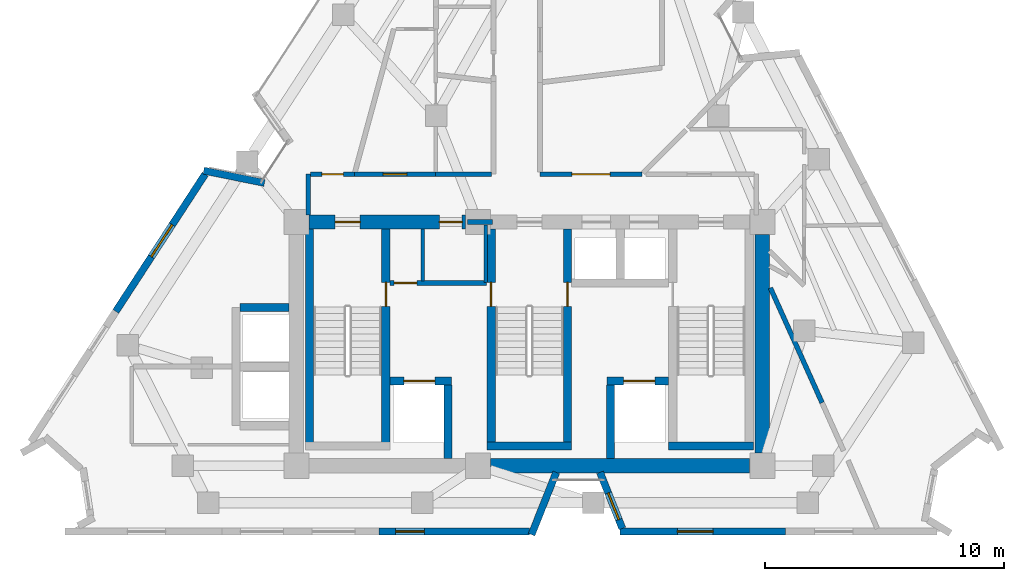
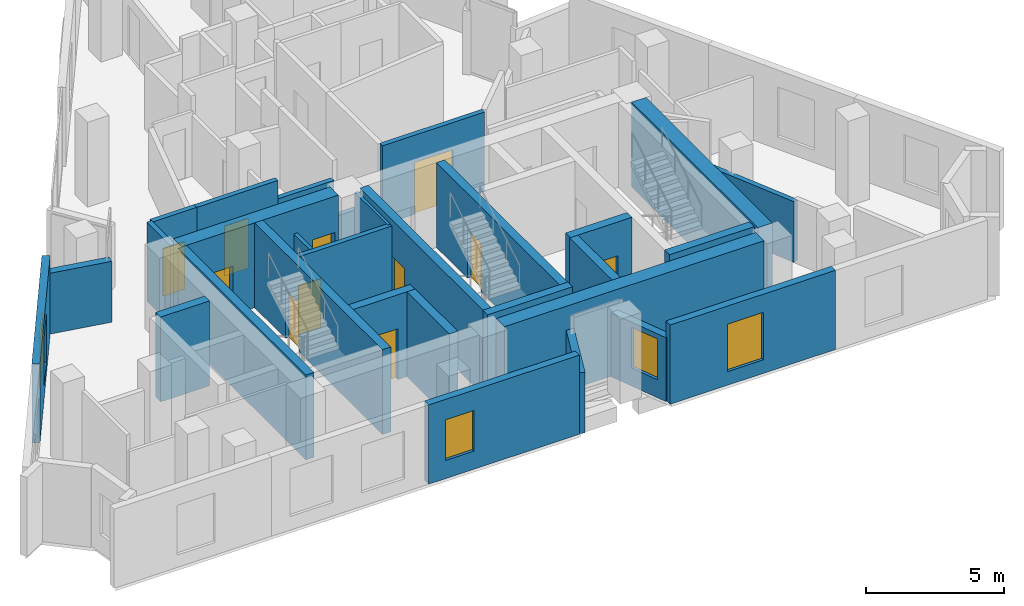
# One storey, part 5 of 9: 30 walls, 11 doors, 4 windows, 15 openings.
"""IFC4 building model written with IfcOpenShell, lengths in metres."""

import ifcopenshell
import ifcopenshell.guid

model = None  # the IFC model being written
_history = None  # IfcOwnerHistory: only IFC2X3 demands one
_inside = {}  # id of a spatial element -> (the spatial element, [elements in it])
_under = {}  # id of a project, library or spatial element -> (it, [spatial elements below it])
_declared = {}  # id of a project -> (the project, [libraries it declares])
_typed = {}  # id of a type object -> (the type object, [elements of that type])
_made_of = {}  # id of a material, layer set ... -> (it, [elements and type objects made of it])


def new_model(schema):
    """Start an empty IFC model of exactly this schema.

    Asked for "IFC4X3", IfcOpenShell would pick the latest addendum, in which some entities
    have other attributes; the version numbers below select the first issue.
    IFC2X3 requires an IfcOwnerHistory on every rooted entity: one is made here for all.
    """
    global model, _history
    if schema == "IFC4X3":
        model = ifcopenshell.file(schema_version=(4, 3, 0, 0))
    else:
        model = ifcopenshell.file(schema=schema)
    _inside.clear()
    _under.clear()
    _declared.clear()
    _typed.clear()
    _made_of.clear()
    _history = None
    if model.schema == "IFC2X3":
        org = make("IfcOrganization", Name="unknown")
        user = make(
            "IfcPersonAndOrganization",
            ThePerson=make("IfcPerson", FamilyName="unknown"),
            TheOrganization=org,
        )
        app = make(
            "IfcApplication",
            ApplicationDeveloper=org,
            Version="unknown",
            ApplicationFullName="unknown",
            ApplicationIdentifier="unknown",
        )
        _history = make(
            "IfcOwnerHistory",
            OwningUser=user,
            OwningApplication=app,
            ChangeAction="ADDED",
            CreationDate=0,
        )
    return model


def make(cls, **values):
    """One entity of the class cls with the attributes given. An attribute that is None is left unset."""
    return model.create_entity(
        cls, **{name: value for name, value in values.items() if value is not None}
    )


def rooted(cls, **values):
    """An entity with a GlobalId (a new one), such as an element, a storey or a relation."""
    return make(cls, GlobalId=ifcopenshell.guid.new(), OwnerHistory=_history, **values)


def si_unit(unit_type, name, prefix=None):
    """IfcSIUnit, for example si_unit("LENGTHUNIT", "METRE", prefix="MILLI")."""
    return make("IfcSIUnit", UnitType=unit_type, Prefix=prefix, Name=name)


def assignment(units):
    """IfcUnitAssignment: the units of a project."""
    return None if units is None else make("IfcUnitAssignment", Units=units)


def point(xyz):
    """IfcCartesianPoint."""
    return None if xyz is None else make("IfcCartesianPoint", Coordinates=xyz)


def direction(xyz):
    """IfcDirection."""
    return None if xyz is None else make("IfcDirection", DirectionRatios=xyz)


def frame(location, z_axis=None, x_axis=None):
    """IfcAxis2Placement3D, a coordinate frame: its origin and axes. An axis left out is left unset."""
    return make(
        "IfcAxis2Placement3D",
        Location=point(location),
        Axis=direction(z_axis),
        RefDirection=direction(x_axis),
    )


def frame_2d(location, x_axis=None):
    """IfcAxis2Placement2D, a coordinate frame in the plane: its origin and x axis."""
    return make(
        "IfcAxis2Placement2D", Location=point(location), RefDirection=direction(x_axis)
    )


def origin():
    """The frame at (0, 0, 0) with its axes left unset."""
    return frame((0.0, 0.0, 0.0))


def place(relative_to, where):
    """IfcLocalPlacement: puts the frame where relative to a parent placement (None: the world)."""
    return make(
        "IfcLocalPlacement", PlacementRelTo=relative_to, RelativePlacement=where
    )


def context(
    kind, dimensions, precision=None, world=None, true_north=None, identifier=None
):
    """IfcGeometricRepresentationContext, for example the 3D "Model" context."""
    return make(
        "IfcGeometricRepresentationContext",
        ContextIdentifier=identifier,
        ContextType=kind,
        CoordinateSpaceDimension=dimensions,
        Precision=precision,
        WorldCoordinateSystem=world,
        TrueNorth=true_north,
    )


def subcontext(parent, identifier, kind, view, scale=None):
    """IfcGeometricRepresentationSubContext, for example "Body" below "Model"."""
    return make(
        "IfcGeometricRepresentationSubContext",
        ContextIdentifier=identifier,
        ContextType=kind,
        ParentContext=parent,
        TargetScale=scale,
        TargetView=view,
    )


def project(units=None, contexts=None):
    """IfcProject with its units and contexts."""
    return rooted(
        "IfcProject",
        Name="project",
        RepresentationContexts=contexts,
        UnitsInContext=assignment(units),
    )


def spatial(cls, under=None, at=None, **own):
    """A site, building, storey or space (cls), placed at a placement, below another one or the project."""
    s = rooted(cls, ObjectPlacement=at, **own)
    if under is not None:
        _under.setdefault(under.id(), (under, []))[1].append(s)
    return s


def profile(cls, at=None, kind="AREA", **sizes):
    """A parametric profile (cls). Its sizes go by their IFC names, for example OverallWidth=200.0."""
    return make(cls, ProfileType=kind, Position=at, **sizes)


def rectangle(**sizes):
    """IfcRectangleProfileDef."""
    return profile("IfcRectangleProfileDef", **sizes)


def extrude(swept, where, along, depth):
    """IfcExtrudedAreaSolid: the profile swept, set in the frame where, extruded along a direction by depth."""
    return make(
        "IfcExtrudedAreaSolid",
        SweptArea=swept,
        Position=where,
        ExtrudedDirection=direction(along),
        Depth=depth,
    )


def shape(context_of_items, identifier, shape_type, items):
    """IfcShapeRepresentation: the items that make up one representation, for example the "Body"."""
    return make(
        "IfcShapeRepresentation",
        ContextOfItems=context_of_items,
        RepresentationIdentifier=identifier,
        RepresentationType=shape_type,
        Items=items,
    )


def material(Name=None, Category=None):
    """IfcMaterial."""
    return make("IfcMaterial", Name=Name, Category=Category)


def layer(
    of_material, thickness, ventilated=None, Name=None, Category=None, Priority=None
):
    """IfcMaterialLayer: one layer of a wall or slab, of a material (None: an air gap)."""
    return make(
        "IfcMaterialLayer",
        Material=of_material,
        LayerThickness=thickness,
        IsVentilated=ventilated,
        Name=Name,
        Category=Category,
        Priority=Priority,
    )


def layer_set(layers, Name=None):
    """IfcMaterialLayerSet."""
    return make("IfcMaterialLayerSet", MaterialLayers=layers, LayerSetName=Name)


def made_of(thing, what):
    """Note that an element or type object is made of a material, layer set ...; save() writes the relation."""
    if what is not None:
        _made_of.setdefault(what.id(), (what, []))[1].append(thing)
    return thing


def type_object(cls, material=None, **own):
    """A type object (cls), such as IfcWallType, which elements share."""
    return made_of(rooted(cls, **own), material)


def element(
    cls,
    number,
    at=None,
    inside=None,
    cuts=None,
    type_object=None,
    material=None,
    context=None,
    identifier="Body",
    shape_type=None,
    held_by="IfcProductDefinitionShape",
    body=None,
    shapes=None,
    **own,
):
    """One element of the class cls, such as IfcWall. Its Tag is "e" and its number.

    at: its placement. inside: the storey or other place that contains it. cuts: it is an
    opening in that element (IfcRelVoidsElement). A single representation is given by context,
    identifier, shape_type and body (its items); several are given by shapes. held_by: the class
    of the entity that holds the representations. save() writes the other relations.
    """
    e = rooted(cls, Tag="e%d" % number, ObjectPlacement=at, **own)
    if body is not None:
        shapes = [shape(context, identifier, shape_type, body)]
    if shapes is not None:
        e.Representation = make(held_by, Representations=shapes)
    if inside is not None:
        _inside.setdefault(inside.id(), (inside, []))[1].append(e)
    if cuts is not None:
        rooted(
            "IfcRelVoidsElement", RelatingBuildingElement=cuts, RelatedOpeningElement=e
        )
    if type_object is not None:
        _typed.setdefault(type_object.id(), (type_object, []))[1].append(e)
    return made_of(e, material)


def fill(opening, filler):
    """IfcRelFillsElement: the door or window that sits in an opening."""
    return rooted(
        "IfcRelFillsElement",
        RelatingOpeningElement=opening,
        RelatedBuildingElement=filler,
    )


def aggregate(whole, parts):
    """IfcRelAggregates: a whole, such as a stair, and the parts it consists of."""
    return rooted("IfcRelAggregates", RelatingObject=whole, RelatedObjects=parts)


def save(model, path):
    """Write the relations noted so far, then the file.

    IfcRelAggregates (storeys below a building ...), IfcRelContainedInSpatialStructure (elements
    in a storey), IfcRelDefinesByType, IfcRelAssociatesMaterial and IfcRelDeclares: one each for
    every whole, place, type object, material and project.
    """
    for whole, parts in _under.values():
        aggregate(whole, parts)
    for where, things in _inside.values():
        rooted(
            "IfcRelContainedInSpatialStructure",
            RelatedElements=things,
            RelatingStructure=where,
        )
    for kind, things in _typed.values():
        rooted("IfcRelDefinesByType", RelatedObjects=things, RelatingType=kind)
    for what, things in _made_of.values():
        rooted("IfcRelAssociatesMaterial", RelatedObjects=things, RelatingMaterial=what)
    for by, libraries in _declared.values():
        rooted("IfcRelDeclares", RelatingContext=by, RelatedDefinitions=libraries)
    model.write(path)


model = new_model("IFC4")

# Units and contexts
model_context = context("Model", 3, precision=1e-05, world=origin(), true_north=direction((0.0, 1.0)))
body_context = subcontext(model_context, "Body", "Model", "MODEL_VIEW")
ifc_project = project(units=[si_unit("LENGTHUNIT", "METRE"), si_unit("AREAUNIT", "SQUARE_METRE"), si_unit("VOLUMEUNIT", "CUBIC_METRE"), si_unit("PLANEANGLEUNIT", "RADIAN"), si_unit("MASSUNIT", "GRAM", prefix="KILO")], contexts=[model_context])

# Site, building, storey
site_placement = place(None, origin())
site = spatial("IfcSite", under=ifc_project, at=site_placement, CompositionType="ELEMENT")
building_placement = place(site_placement, origin())
building = spatial("IfcBuilding", under=site, at=building_placement, Name="Almagre Mirador Tower", CompositionType="ELEMENT")
storey_placement = place(building_placement, frame((0.0, 0.0, 214.5)))
storey = spatial("IfcBuildingStorey", under=building, at=storey_placement, Name="L55", CompositionType="ELEMENT", Elevation=214.5)

# Wall
ifc_material_1 = material(Name="Precast concrete C50/60", Category="concrete")
ifc_layer_1 = layer(ifc_material_1, 0.300048828125)
ifc_layer_set_1 = layer_set([ifc_layer_1], Name="Precast concrete C50/60")
wall_type_1 = type_object("IfcWallType", Name="WAL-EXT-300", PredefinedType="SOLIDWALL", material=ifc_layer_set_1)
wall_1_placement = place(storey_placement, frame((23.67578125, 16.899658203125, 0.0), z_axis=(0.0, 0.0, 1.0), x_axis=(0.980377387813, -0.197129849249, 0.0)))
element("IfcWall", 1, at=wall_1_placement, inside=storey, type_object=wall_type_1, Name="L55 expressed almagre precast frame wall 01", PredefinedType="SOLIDWALL", context=body_context, shape_type="SweptSolid", body=[
    extrude(rectangle(XDim=2.59326171875, YDim=0.300048828125, at=frame_2d((1.296630859375, 0.0))), origin(), (0.0, 0.0, 1.0), 2.68994140625),
])

# Wall, opening, window
wall_2_placement = place(storey_placement, frame((48.02197265625, 1.800048828125, 0.0), z_axis=(0.0, 0.0, 1.0), x_axis=(-1.0, 0.0, 0.0)))
wall_2 = element("IfcWall", 2, at=wall_2_placement, inside=storey, type_object=wall_type_1, Name="L55 expressed almagre precast frame wall 21", PredefinedType="SOLIDWALL", context=body_context, shape_type="SweptSolid", body=[
    extrude(rectangle(XDim=6.91796875, YDim=0.300048828125, at=frame_2d((3.458984375, 0.0))), origin(), (0.0, 0.0, 1.0), 3.5),
])
opening_1_placement = place(wall_2_placement, frame((3.02490234375, 0.0, 0.60009765625)))
opening_1 = element("IfcOpeningElement", 3, at=opening_1_placement, cuts=wall_2, Name="Opening WN-03", PredefinedType="OPENING", context=body_context, shape_type="SweptSolid", body=[
    extrude(rectangle(XDim=1.5, YDim=2.10009765625, at=frame_2d((0.75, 1.050048828125))), frame((0.0, 0.159902, 0.0), z_axis=(0.0, -1.0, 0.0), x_axis=(1.0, 0.0, 0.0)), (0.0, 0.0, 1.0), 0.320049),
])
ifc_material_2 = material(Name="Dark solar-control laminated hurricane glass", Category="glass")
window_type_1 = type_object("IfcWindowType", Name="WIN-1500X2100", PartitioningType="DOUBLE_PANEL_VERTICAL", PredefinedType="WINDOW", material=ifc_material_2)
window_1_placement = place(opening_1_placement, origin())
window_1 = element("IfcWindow", 4, at=window_1_placement, inside=storey, type_object=window_type_1, Name="L55 recessed hurricane window L55-UB-KT", OverallHeight=2.10009765625, OverallWidth=1.5, PartitioningType="SINGLE_PANEL", PredefinedType="WINDOW", context=body_context, shape_type="SweptSolid", body=[
    extrude(rectangle(XDim=1.5, YDim=2.10009765625, at=frame_2d((0.75, 1.050048828125))), frame((0.0, 0.030029296875, 0.0), z_axis=(0.0, -1.0, 0.0), x_axis=(1.0, 0.0, 0.0)), (0.0, 0.0, 1.0), 0.06005859375),
])
fill(opening_1, window_1)

wall_3_placement = place(storey_placement, frame((41.194091796875, 1.92529296875, 0.0), z_axis=(0.0, 0.0, 1.0), x_axis=(-0.369457562636, 0.929247603931, 0.0)))
wall_3 = element("IfcWall", 5, at=wall_3_placement, inside=storey, type_object=wall_type_1, Name="L55 expressed almagre precast frame wall 22", PredefinedType="SOLIDWALL", context=body_context, shape_type="SweptSolid", body=[
    extrude(rectangle(XDim=2.52685546875, YDim=0.300048828125, at=frame_2d((1.263427734375, 0.0))), origin(), (0.0, 0.0, 1.0), 2.824951171875),
])
opening_2_placement = place(wall_3_placement, frame((0.39990234375, 0.0, 0.800048828125)))
opening_2 = element("IfcOpeningElement", 6, at=opening_2_placement, cuts=wall_3, Name="Opening WN-04", PredefinedType="OPENING", context=body_context, shape_type="SweptSolid", body=[
    extrude(rectangle(XDim=1.199951171875, YDim=1.800048828125, at=frame_2d((0.60009765625, 0.89990234375))), frame((0.0, 0.159902, 0.0), z_axis=(0.0, -1.0, 0.0), x_axis=(1.0, 0.0, 0.0)), (0.0, 0.0, 1.0), 0.320049),
])
ifc_material_3 = material(Name="Dark solar-control laminated hurricane glass", Category="glass")
window_type_2 = type_object("IfcWindowType", Name="WIN-1200X1800", PartitioningType="SINGLE_PANEL", PredefinedType="WINDOW", material=ifc_material_3)
window_2_placement = place(opening_2_placement, origin())
window_2 = element("IfcWindow", 7, at=window_2_placement, inside=storey, type_object=window_type_2, Name="L55 recessed hurricane window L55-UB-KT", OverallHeight=1.800048828125, OverallWidth=1.199951171875, PartitioningType="SINGLE_PANEL", PredefinedType="WINDOW", context=body_context, shape_type="SweptSolid", body=[
    extrude(rectangle(XDim=1.199951171875, YDim=1.800048828125, at=frame_2d((0.60009765625, 0.89990234375))), frame((0.0, 0.030029296875, 0.0), z_axis=(0.0, -1.0, 0.0), x_axis=(1.0, 0.0, 0.0)), (0.0, 0.0, 1.0), 0.06005859375),
])
fill(opening_2, window_2)

# Wall
wall_4_placement = place(storey_placement, frame((38.427490234375, 4.2734375, 0.0), z_axis=(0.0, 0.0, 1.0), x_axis=(-0.369466825356, -0.929243921132, 0.0)))
element("IfcWall", 8, at=wall_4_placement, inside=storey, type_object=wall_type_1, Name="L55 expressed almagre precast frame wall 23", PredefinedType="SOLIDWALL", context=body_context, shape_type="SweptSolid", body=[
    extrude(rectangle(XDim=2.8017578125, YDim=0.300048828125, at=frame_2d((1.40087890625, 0.0))), origin(), (0.0, 0.0, 1.0), 2.68994140625),
])

# Wall, opening, window
wall_5_placement = place(storey_placement, frame((37.30908203125, 1.800048828125, 0.0), z_axis=(0.0, 0.0, 1.0), x_axis=(-1.0, 0.0, 0.0)))
wall_5 = element("IfcWall", 9, at=wall_5_placement, inside=storey, type_object=wall_type_1, Name="L55 expressed almagre precast frame wall 24", PredefinedType="SOLIDWALL", context=body_context, shape_type="SweptSolid", body=[
    extrude(rectangle(XDim=6.2998046875, YDim=0.300048828125, at=frame_2d((3.14990234375, 0.0))), origin(), (0.0, 0.0, 1.0), 3.5),
])
opening_3_placement = place(wall_5_placement, frame((4.39990234375, 0.0, 0.800048828125)))
opening_3 = element("IfcOpeningElement", 10, at=opening_3_placement, cuts=wall_5, Name="Opening WN-04", PredefinedType="OPENING", context=body_context, shape_type="SweptSolid", body=[
    extrude(rectangle(XDim=1.199951171875, YDim=1.800048828125, at=frame_2d((0.60009765625, 0.89990234375))), frame((0.0, 0.159902, 0.0), z_axis=(0.0, -1.0, 0.0), x_axis=(1.0, 0.0, 0.0)), (0.0, 0.0, 1.0), 0.320049),
])
window_3_placement = place(opening_3_placement, origin())
window_3 = element("IfcWindow", 11, at=window_3_placement, inside=storey, type_object=window_type_2, Name="L55 recessed hurricane window L55-UA-MB", OverallHeight=1.800048828125, OverallWidth=1.199951171875, PartitioningType="SINGLE_PANEL", PredefinedType="WINDOW", context=body_context, shape_type="SweptSolid", body=[
    extrude(rectangle(XDim=1.199951171875, YDim=1.800048828125, at=frame_2d((0.60009765625, 0.89990234375))), frame((0.0, 0.030029296875, 0.0), z_axis=(0.0, -1.0, 0.0), x_axis=(1.0, 0.0, 0.0)), (0.0, 0.0, 1.0), 0.06005859375),
])
fill(opening_3, window_3)

wall_6_placement = place(storey_placement, frame((19.99755859375, 11.011962890625, 0.0), z_axis=(0.0, 0.0, 1.0), x_axis=(0.545631860444, 0.838024983439, 0.0)))
wall_6 = element("IfcWall", 12, at=wall_6_placement, inside=storey, type_object=wall_type_1, Name="L55 expressed almagre precast frame wall 32", PredefinedType="SOLIDWALL", context=body_context, shape_type="SweptSolid", body=[
    extrude(rectangle(XDim=6.8525390625, YDim=0.300048828125, at=frame_2d((3.42626953125, 0.0))), origin(), (0.0, 0.0, 1.0), 3.5),
])
opening_4_placement = place(wall_6_placement, frame((2.72509765625, 0.0, 0.550048828125)))
opening_4 = element("IfcOpeningElement", 13, at=opening_4_placement, cuts=wall_6, Name="Opening WN-06", PredefinedType="OPENING", context=body_context, shape_type="SweptSolid", body=[
    extrude(rectangle(XDim=1.60009765625, YDim=2.199951171875, at=frame_2d((0.800048828125, 1.10009765625))), frame((0.0, 0.159902, 0.0), z_axis=(0.0, -1.0, 0.0), x_axis=(1.0, 0.0, 0.0)), (0.0, 0.0, 1.0), 0.320049),
])
ifc_material_4 = material(Name="Dark solar-control laminated hurricane glass", Category="glass")
window_type_3 = type_object("IfcWindowType", Name="WIN-1600X2200", PartitioningType="DOUBLE_PANEL_VERTICAL", PredefinedType="WINDOW", material=ifc_material_4)
window_4_placement = place(opening_4_placement, origin())
window_4 = element("IfcWindow", 14, at=window_4_placement, inside=storey, type_object=window_type_3, Name="L55 recessed hurricane window L55-UD-ST", OverallHeight=2.199951171875, OverallWidth=1.60009765625, PartitioningType="SINGLE_PANEL", PredefinedType="WINDOW", context=body_context, shape_type="SweptSolid", body=[
    extrude(rectangle(XDim=1.60009765625, YDim=2.199951171875, at=frame_2d((0.800048828125, 1.10009765625))), frame((0.0, 0.030029296875, 0.0), z_axis=(0.0, -1.0, 0.0), x_axis=(1.0, 0.0, 0.0)), (0.0, 0.0, 1.0), 0.06005859375),
])
fill(opening_4, window_4)

# Wall
ifc_material_5 = material(Name="Gypsum acoustic stud partition", Category="other")
ifc_layer_2 = layer(ifc_material_5, 0.199951171875)
ifc_layer_set_2 = layer_set([ifc_layer_2], Name="Gypsum acoustic stud partition")
wall_type_2 = type_object("IfcWallType", Name="WAL-PRT-200-EI60", PredefinedType="PARTITIONING", material=ifc_layer_set_2)
wall_7_placement = place(storey_placement, frame((34.719970703125, 14.75, 0.0), z_axis=(0.0, 0.0, 1.0), x_axis=(1.0, 0.0, 0.0)))
element("IfcWall", 15, at=wall_7_placement, inside=storey, type_object=wall_type_2, Name="L55 core north closure wall", PredefinedType="PARTITIONING", context=body_context, shape_type="SweptSolid", body=[
    extrude(rectangle(XDim=1.030029296875, YDim=0.199951171875, at=frame_2d((0.51513671875, 0.0))), origin(), (0.0, 0.0, 1.0), 2.68505859375),
])

# Wall, opening, door
wall_8_placement = place(storey_placement, frame((31.47998046875, 12.199951171875, 0.0), z_axis=(0.0, 0.0, 1.0), x_axis=(1.0, 0.0, 0.0)))
wall_8 = element("IfcWall", 16, at=wall_8_placement, inside=storey, type_object=wall_type_2, Name="L55 FFL-1 north enclosure wall", PredefinedType="PARTITIONING", context=body_context, shape_type="SweptSolid", body=[
    extrude(rectangle(XDim=4.024658203125, YDim=0.199951171875, at=frame_2d((2.01220703125, 0.0))), origin(), (0.0, 0.0, 1.0), 3.5),
])
opening_5_placement = place(wall_8_placement, frame((0.1650390625, 0.0, 0.0)))
opening_5 = element("IfcOpeningElement", 17, at=opening_5_placement, cuts=wall_8, Name="Opening ID-02", PredefinedType="OPENING", context=body_context, shape_type="SweptSolid", body=[
    extrude(rectangle(XDim=0.949951171875, YDim=2.14990234375, at=frame_2d((0.47509765625, 1.074951171875))), frame((0.0, 0.110098, 0.0), z_axis=(0.0, -1.0, 0.0), x_axis=(1.0, 0.0, 0.0)), (0.0, 0.0, 1.0), 0.219951),
])
ifc_material_6 = material(Name="Fire-rated walnut timber", Category="wood")
door_type_1 = type_object("IfcDoorType", Name="DOR-FD60-950X2150", OperationType="NOTDEFINED", PredefinedType="DOOR", material=ifc_material_6)
door_1_placement = place(opening_5_placement, origin())
door_1 = element("IfcDoor", 18, at=door_1_placement, inside=storey, type_object=door_type_1, Name="DR-1699 L55 FFL-1 north smoke door", OperationType="SINGLE_SWING_LEFT", OverallHeight=2.14990234375, OverallWidth=0.949951171875, PredefinedType="DOOR", context=body_context, shape_type="SweptSolid", body=[
    extrude(rectangle(XDim=0.949951171875, YDim=2.14990234375, at=frame_2d((0.47509765625, 1.074951171875))), frame((0.0, 0.02490234375, 0.0), z_axis=(0.0, -1.0, 0.0), x_axis=(1.0, 0.0, 0.0)), (0.0, 0.0, 1.0), 0.050048828125),
])
fill(opening_5, door_1)

# Walls
wall_9_placement = place(storey_placement, frame((32.840087890625, 12.284912109375, 0.0), z_axis=(0.0, 0.0, 1.0), x_axis=(0.0, 1.0, 0.0)))
element("IfcWall", 19, at=wall_9_placement, inside=storey, type_object=wall_type_2, Name="L55 core riser west wall", PredefinedType="PARTITIONING", context=body_context, shape_type="SweptSolid", body=[
    extrude(rectangle(XDim=2.18017578125, YDim=0.14990234375, at=frame_2d((1.090087890625, 0.0))), origin(), (0.0, 0.0, 1.0), 2.68505859375),
])
wall_10_placement = place(storey_placement, frame((35.47998046875, 12.219970703125, 0.0), z_axis=(0.0, 0.0, 1.0), x_axis=(0.0, 1.0, 0.0)))
element("IfcWall", 20, at=wall_10_placement, inside=storey, type_object=wall_type_2, Name="L55 core riser east wall", PredefinedType="PARTITIONING", context=body_context, shape_type="SweptSolid", body=[
    extrude(rectangle(XDim=2.396240234375, YDim=0.14990234375, at=frame_2d((1.1982421875, 0.0))), origin(), (0.0, 0.0, 1.0), 3.5),
])
wall_11_placement = place(storey_placement, frame((28.050048828125, 16.75, 0.0), z_axis=(0.0, 0.0, 1.0), x_axis=(0.0, -1.0, 0.0)))
element("IfcWall", 21, at=wall_11_placement, inside=storey, type_object=wall_type_2, Name="L55 interior partition 001", PredefinedType="PARTITIONING", context=body_context, shape_type="SweptSolid", body=[
    extrude(rectangle(XDim=1.699951171875, YDim=0.199951171875, at=frame_2d((0.85009765625, 0.0))), origin(), (0.0, 0.0, 1.0), 3.5),
])

# Wall, opening, door
wall_12_placement = place(storey_placement, frame((29.97998046875, 16.75, 0.0), z_axis=(0.0, 0.0, 1.0), x_axis=(-1.0, 0.0, 0.0)))
wall_12 = element("IfcWall", 22, at=wall_12_placement, inside=storey, type_object=wall_type_2, Name="L55 interior partition 004", PredefinedType="PARTITIONING", context=body_context, shape_type="SweptSolid", body=[
    extrude(rectangle(XDim=1.844970703125, YDim=0.199951171875, at=frame_2d((0.92236328125, 0.0))), origin(), (0.0, 0.0, 1.0), 3.5),
])
opening_6_placement = place(wall_12_placement, frame((0.46142578125, 0.0, 0.0)))
opening_6 = element("IfcOpeningElement", 23, at=opening_6_placement, cuts=wall_12, Name="Opening ID-03", PredefinedType="OPENING", context=body_context, shape_type="SweptSolid", body=[
    extrude(rectangle(XDim=0.89990234375, YDim=2.10009765625, at=frame_2d((0.449951171875, 1.050048828125))), frame((0.0, 0.110098, 0.0), z_axis=(0.0, -1.0, 0.0), x_axis=(1.0, 0.0, 0.0)), (0.0, 0.0, 1.0), 0.219951),
])
ifc_material_7 = material(Name="Fire-rated hollow steel", Category="steel")
door_type_2 = type_object("IfcDoorType", Name="DOR-FD60-900X2100", OperationType="NOTDEFINED", PredefinedType="DOOR", material=ifc_material_7)
door_2_placement = place(opening_6_placement, origin())
door_2 = element("IfcDoor", 24, at=door_2_placement, inside=storey, type_object=door_type_2, Name="DR-1704 L55 interior door L55-RCOR to L55-RST-F", OperationType="SINGLE_SWING_LEFT", OverallHeight=2.10009765625, OverallWidth=0.89990234375, PredefinedType="DOOR", context=body_context, shape_type="SweptSolid", body=[
    extrude(rectangle(XDim=0.89990234375, YDim=2.10009765625, at=frame_2d((0.449951171875, 1.050048828125))), frame((0.0, 0.02490234375, 0.0), z_axis=(0.0, -1.0, 0.0), x_axis=(1.0, 0.0, 0.0)), (0.0, 0.0, 1.0), 0.050048828125),
])
fill(opening_6, door_2)

wall_13_placement = place(storey_placement, frame((33.3798828125, 16.75, 0.0), z_axis=(0.0, 0.0, 1.0), x_axis=(-1.0, 0.0, 0.0)))
wall_13 = element("IfcWall", 25, at=wall_13_placement, inside=storey, type_object=wall_type_2, Name="L55 interior partition 005", PredefinedType="PARTITIONING", context=body_context, shape_type="SweptSolid", body=[
    extrude(rectangle(XDim=3.39990234375, YDim=0.199951171875, at=frame_2d((1.699951171875, 0.0))), origin(), (0.0, 0.0, 1.0), 3.5),
])
opening_7_placement = place(wall_13_placement, frame((1.199951171875, 0.0, 0.0)))
opening_7 = element("IfcOpeningElement", 26, at=opening_7_placement, cuts=wall_13, Name="Opening ID-01", PredefinedType="OPENING", context=body_context, shape_type="SweptSolid", body=[
    extrude(rectangle(XDim=1.0, YDim=2.199951171875, at=frame_2d((0.5, 1.10009765625))), frame((0.0, 0.110098, 0.0), z_axis=(0.0, -1.0, 0.0), x_axis=(1.0, 0.0, 0.0)), (0.0, 0.0, 1.0), 0.219951),
])
ifc_material_8 = material(Name="Fire-rated walnut timber", Category="wood")
door_type_3 = type_object("IfcDoorType", Name="DOR-FD60-1000X2200", OperationType="NOTDEFINED", PredefinedType="DOOR", material=ifc_material_8)
door_3_placement = place(opening_7_placement, origin())
door_3 = element("IfcDoor", 27, at=door_3_placement, inside=storey, type_object=door_type_3, Name="DR-1709 L55 interior door L55-RCOR to L55-UG-ST", OperationType="SINGLE_SWING_RIGHT", OverallHeight=2.199951171875, OverallWidth=1.0, PredefinedType="DOOR", context=body_context, shape_type="SweptSolid", body=[
    extrude(rectangle(XDim=1.0, YDim=2.199951171875, at=frame_2d((0.5, 1.10009765625))), frame((0.0, 0.02490234375, 0.0), z_axis=(0.0, -1.0, 0.0), x_axis=(1.0, 0.0, 0.0)), (0.0, 0.0, 1.0), 0.050048828125),
])
fill(opening_7, door_3)

# Wall
wall_14_placement = place(storey_placement, frame((35.715087890625, 16.75, 0.0), z_axis=(0.0, 0.0, 1.0), x_axis=(-1.0, 0.0, 0.0)))
element("IfcWall", 28, at=wall_14_placement, inside=storey, type_object=wall_type_2, Name="L55 interior partition 007", PredefinedType="PARTITIONING", context=body_context, shape_type="SweptSolid", body=[
    extrude(rectangle(XDim=2.335205078125, YDim=0.199951171875, at=frame_2d((1.16748046875, 0.0))), origin(), (0.0, 0.0, 1.0), 2.68505859375),
])

# Wall, opening, door
wall_15_placement = place(storey_placement, frame((42.010009765625, 16.75, 0.0), z_axis=(0.0, 0.0, 1.0), x_axis=(-1.0, 0.0, 0.0)))
wall_15 = element("IfcWall", 29, at=wall_15_placement, inside=storey, type_object=wall_type_2, Name="L55 interior partition 013", PredefinedType="PARTITIONING", context=body_context, shape_type="SweptSolid", body=[
    extrude(rectangle(XDim=4.260009765625, YDim=0.199951171875, at=frame_2d((2.1298828125, 0.0))), origin(), (0.0, 0.0, 1.0), 3.5),
])
opening_8_placement = place(wall_15_placement, frame((1.330078125, 0.0, 0.0)))
opening_8 = element("IfcOpeningElement", 30, at=opening_8_placement, cuts=wall_15, Name="Opening ID-05", PredefinedType="OPENING", context=body_context, shape_type="SweptSolid", body=[
    extrude(rectangle(XDim=1.60009765625, YDim=2.300048828125, at=frame_2d((0.800048828125, 1.14990234375))), frame((0.0, 0.110098, 0.0), z_axis=(0.0, -1.0, 0.0), x_axis=(1.0, 0.0, 0.0)), (0.0, 0.0, 1.0), 0.219951),
])
ifc_material_9 = material(Name="Fire-rated acoustic timber", Category="wood")
door_type_4 = type_object("IfcDoorType", Name="DOR-FD60-1600X2300", OperationType="DOUBLE_DOOR_SINGLE_SWING", PredefinedType="DOOR", material=ifc_material_9)
door_4_placement = place(opening_8_placement, origin())
door_4 = element("IfcDoor", 31, at=door_4_placement, inside=storey, type_object=door_type_4, Name="DR-1705 L55 interior door L55-RCOR to L55-RST-K", OperationType="DOUBLE_DOOR_SINGLE_SWING", OverallHeight=2.300048828125, OverallWidth=1.60009765625, PredefinedType="DOOR", context=body_context, shape_type="SweptSolid", body=[
    extrude(rectangle(XDim=1.60009765625, YDim=2.300048828125, at=frame_2d((0.800048828125, 1.14990234375))), frame((0.0, 0.02490234375, 0.0), z_axis=(0.0, -1.0, 0.0), x_axis=(1.0, 0.0, 0.0)), (0.0, 0.0, 1.0), 0.050048828125),
])
fill(opening_8, door_4)

# Walls
wall_16_placement = place(storey_placement, frame((49.550048828125, 7.18994140625, 0.0), z_axis=(0.0, 0.0, 1.0), x_axis=(-0.410297221829, 0.91195185715, 0.0)))
element("IfcWall", 32, at=wall_16_placement, inside=storey, type_object=wall_type_2, Name="L55 interior partition 028", PredefinedType="PARTITIONING", context=body_context, shape_type="SweptSolid", body=[
    extrude(rectangle(XDim=5.267333984375, YDim=0.199951171875, at=frame_2d((2.6337890625, 0.0))), origin(), (0.0, 0.0, 1.0), 2.68505859375),
])
ifc_material_10 = material(Name="Concrete C60/75", Category="concrete")
ifc_layer_3 = layer(ifc_material_10, 0.35009765625)
ifc_layer_set_3 = layer_set([ifc_layer_3], Name="Concrete C60/75")
wall_type_3 = type_object("IfcWallType", Name="WAL-SHF-350", PredefinedType="SOLIDWALL", material=ifc_layer_set_3)
wall_17_placement = place(storey_placement, frame((28.10009765625, 5.199951171875, 0.0), z_axis=(0.0, 0.0, 1.0), x_axis=(0.0, 1.0, 0.0)))
element("IfcWall", 33, at=wall_17_placement, inside=storey, type_object=wall_type_3, Name="L55 shaft wall ST1-W", PredefinedType="SOLIDWALL", context=body_context, shape_type="SweptSolid", body=[
    extrude(rectangle(XDim=9.25, YDim=0.35009765625, at=frame_2d((4.625, 0.0))), origin(), (0.0, 0.0, 1.0), 3.75),
])

# Wall, opening, door
wall_18_placement = place(storey_placement, frame((31.300048828125, 5.199951171875, 0.0), z_axis=(0.0, 0.0, 1.0), x_axis=(0.0, 1.0, 0.0)))
wall_18 = element("IfcWall", 34, at=wall_18_placement, inside=storey, type_object=wall_type_3, Name="L55 shaft wall ST1-E", PredefinedType="SOLIDWALL", context=body_context, shape_type="SweptSolid", body=[
    extrude(rectangle(XDim=9.25, YDim=0.35009765625, at=frame_2d((4.625, 0.0))), origin(), (0.0, 0.0, 1.0), 3.75),
])
opening_9_placement = place(wall_18_placement, frame((6.02001953125, 0.0, 0.0)))
opening_9 = element("IfcOpeningElement", 35, at=opening_9_placement, cuts=wall_18, Name="Opening FD-01", PredefinedType="OPENING", context=body_context, shape_type="SweptSolid", body=[
    extrude(rectangle(XDim=1.0, YDim=2.14990234375, at=frame_2d((0.5, 1.074951171875))), frame((0.0, 0.185049, 0.0), z_axis=(0.0, -1.0, 0.0), x_axis=(1.0, 0.0, 0.0)), (0.0, 0.0, 1.0), 0.370098),
])
ifc_material_11 = material(Name="Fire-rated hollow steel", Category="steel")
door_type_5 = type_object("IfcDoorType", Name="DOR-FFL-1000X2150", OperationType="NOTDEFINED", PredefinedType="DOOR", material=ifc_material_11)
door_5_placement = place(opening_9_placement, origin())
door_5 = element("IfcDoor", 36, at=door_5_placement, inside=storey, type_object=door_type_5, Name="DR-1700 L55 FFL1-ST1 smokeproof door", OperationType="SINGLE_SWING_LEFT", OverallHeight=2.14990234375, OverallWidth=1.0, PredefinedType="DOOR", context=body_context, shape_type="SweptSolid", body=[
    extrude(rectangle(XDim=1.0, YDim=2.14990234375, at=frame_2d((0.5, 1.074951171875))), frame((0.0, 0.02490234375, 0.0), z_axis=(0.0, -1.0, 0.0), x_axis=(1.0, 0.0, 0.0)), (0.0, 0.0, 1.0), 0.050048828125),
])
fill(opening_9, door_5)

wall_19_placement = place(storey_placement, frame((35.699951171875, 5.199951171875, 0.0), z_axis=(0.0, 0.0, 1.0), x_axis=(0.0, 1.0, 0.0)))
wall_19 = element("IfcWall", 37, at=wall_19_placement, inside=storey, type_object=wall_type_3, Name="L55 shaft wall ST2-W", PredefinedType="SOLIDWALL", context=body_context, shape_type="SweptSolid", body=[
    extrude(rectangle(XDim=9.25, YDim=0.35009765625, at=frame_2d((4.625, 0.0))), origin(), (0.0, 0.0, 1.0), 3.75),
])
opening_10_placement = place(wall_19_placement, frame((6.02001953125, 0.0, 0.0)))
opening_10 = element("IfcOpeningElement", 38, at=opening_10_placement, cuts=wall_19, Name="Opening FD-01", PredefinedType="OPENING", context=body_context, shape_type="SweptSolid", body=[
    extrude(rectangle(XDim=1.0, YDim=2.14990234375, at=frame_2d((0.5, 1.074951171875))), frame((0.0, 0.185049, 0.0), z_axis=(0.0, -1.0, 0.0), x_axis=(1.0, 0.0, 0.0)), (0.0, 0.0, 1.0), 0.370098),
])
door_6_placement = place(opening_10_placement, origin())
door_6 = element("IfcDoor", 39, at=door_6_placement, inside=storey, type_object=door_type_5, Name="DR-1701 L55 FFL1-ST2 smokeproof door", OperationType="SINGLE_SWING_RIGHT", OverallHeight=2.14990234375, OverallWidth=1.0, PredefinedType="DOOR", context=body_context, shape_type="SweptSolid", body=[
    extrude(rectangle(XDim=1.0, YDim=2.14990234375, at=frame_2d((0.5, 1.074951171875))), frame((0.0, 0.02490234375, 0.0), z_axis=(0.0, -1.0, 0.0), x_axis=(1.0, 0.0, 0.0)), (0.0, 0.0, 1.0), 0.050048828125),
])
fill(opening_10, door_6)

wall_20_placement = place(storey_placement, frame((38.89990234375, 5.199951171875, 0.0), z_axis=(0.0, 0.0, 1.0), x_axis=(0.0, 1.0, 0.0)))
wall_20 = element("IfcWall", 40, at=wall_20_placement, inside=storey, type_object=wall_type_3, Name="L55 shaft wall ST2-E", PredefinedType="SOLIDWALL", context=body_context, shape_type="SweptSolid", body=[
    extrude(rectangle(XDim=9.25, YDim=0.35009765625, at=frame_2d((4.625, 0.0))), origin(), (0.0, 0.0, 1.0), 3.75),
])
opening_11_placement = place(wall_20_placement, frame((6.02001953125, 0.0, 0.0)))
opening_11 = element("IfcOpeningElement", 41, at=opening_11_placement, cuts=wall_20, Name="Opening FD-01", PredefinedType="OPENING", context=body_context, shape_type="SweptSolid", body=[
    extrude(rectangle(XDim=1.0, YDim=2.14990234375, at=frame_2d((0.5, 1.074951171875))), frame((0.0, 0.185049, 0.0), z_axis=(0.0, -1.0, 0.0), x_axis=(1.0, 0.0, 0.0)), (0.0, 0.0, 1.0), 0.370098),
])
door_7_placement = place(opening_11_placement, origin())
door_7 = element("IfcDoor", 42, at=door_7_placement, inside=storey, type_object=door_type_5, Name="DR-1702 L55 FFL2-ST2 smokeproof door", OperationType="SINGLE_SWING_LEFT", OverallHeight=2.14990234375, OverallWidth=1.0, PredefinedType="DOOR", context=body_context, shape_type="SweptSolid", body=[
    extrude(rectangle(XDim=1.0, YDim=2.14990234375, at=frame_2d((0.5, 1.074951171875))), frame((0.0, 0.02490234375, 0.0), z_axis=(0.0, -1.0, 0.0), x_axis=(1.0, 0.0, 0.0)), (0.0, 0.0, 1.0), 0.050048828125),
])
fill(opening_11, door_7)

# Walls
for number, where, z_axis, x_axis, name in (
    (43, (35.52490234375, 5.375, 0.0), (0.0, 0.0, 1.0), (1.0, 0.0, 0.0), "L55 shaft wall ST2-S"),
    (44, (43.125, 5.375, 0.0), (0.0, 0.0, 1.0), (1.0, 0.0, 0.0), "L55 shaft wall ST3-S"),
):
    element("IfcWall", number, at=place(storey_placement, frame(where, z_axis=z_axis, x_axis=x_axis)), inside=storey, type_object=wall_type_3, Name=name, PredefinedType="SOLIDWALL", context=body_context, shape_type="SweptSolid", body=[
        extrude(rectangle(XDim=3.550048828125, YDim=0.35009765625, at=frame_2d((1.77490234375, 0.0))), origin(), (0.0, 0.0, 1.0), 3.75),
    ])

# Wall, opening, door
wall_21_placement = place(storey_placement, frame((31.47509765625, 8.10009765625, 0.0), z_axis=(0.0, 0.0, 1.0), x_axis=(1.0, 0.0, 0.0)))
wall_21 = element("IfcWall", 45, at=wall_21_placement, inside=storey, type_object=wall_type_3, Name="L55 shaft wall FSAE1-N", PredefinedType="SOLIDWALL", context=body_context, shape_type="SweptSolid", body=[
    extrude(rectangle(XDim=2.574951171875, YDim=0.35009765625, at=frame_2d((1.28759765625, 0.0))), origin(), (0.0, 0.0, 1.0), 3.75),
])
opening_12_placement = place(wall_21_placement, frame((0.574951171875, 0.0, 0.0)))
opening_12 = element("IfcOpeningElement", 46, at=opening_12_placement, cuts=wall_21, Name="Opening LD-03", PredefinedType="OPENING", context=body_context, shape_type="SweptSolid", body=[
    extrude(rectangle(XDim=1.300048828125, YDim=2.25, at=frame_2d((0.64990234375, 1.125))), frame((0.0, 0.185049, 0.0), z_axis=(0.0, -1.0, 0.0), x_axis=(1.0, 0.0, 0.0)), (0.0, 0.0, 1.0), 0.370098),
])
ifc_material_12 = material(Name="Hollow stainless steel", Category="steel")
door_type_6 = type_object("IfcDoorType", Name="DOR-LD-1300X2250", OperationType="DOUBLE_DOOR_SLIDING", PredefinedType="DOOR", material=ifc_material_12)
door_8_placement = place(opening_12_placement, origin())
door_8 = element("IfcDoor", 47, at=door_8_placement, inside=storey, type_object=door_type_6, Name="DR-1720 L55 FSAE-1 lift landing door", OperationType="DOUBLE_DOOR_SLIDING", OverallHeight=2.25, OverallWidth=1.300048828125, PredefinedType="DOOR", context=body_context, shape_type="SweptSolid", body=[
    extrude(rectangle(XDim=1.300048828125, YDim=2.25, at=frame_2d((0.64990234375, 1.125))), frame((0.0, 0.02490234375, 0.0), z_axis=(0.0, -1.0, 0.0), x_axis=(1.0, 0.0, 0.0)), (0.0, 0.0, 1.0), 0.050048828125),
])
fill(opening_12, door_8)

wall_22_placement = place(storey_placement, frame((40.550048828125, 8.10009765625, 0.0), z_axis=(0.0, 0.0, 1.0), x_axis=(1.0, 0.0, 0.0)))
wall_22 = element("IfcWall", 48, at=wall_22_placement, inside=storey, type_object=wall_type_3, Name="L55 shaft wall FSAE2-N", PredefinedType="SOLIDWALL", context=body_context, shape_type="SweptSolid", body=[
    extrude(rectangle(XDim=2.574951171875, YDim=0.35009765625, at=frame_2d((1.28759765625, 0.0))), origin(), (0.0, 0.0, 1.0), 3.75),
])
opening_13_placement = place(wall_22_placement, frame((0.699951171875, 0.0, 0.0)))
opening_13 = element("IfcOpeningElement", 49, at=opening_13_placement, cuts=wall_22, Name="Opening LD-03", PredefinedType="OPENING", context=body_context, shape_type="SweptSolid", body=[
    extrude(rectangle(XDim=1.300048828125, YDim=2.25, at=frame_2d((0.64990234375, 1.125))), frame((0.0, 0.185049, 0.0), z_axis=(0.0, -1.0, 0.0), x_axis=(1.0, 0.0, 0.0)), (0.0, 0.0, 1.0), 0.370098),
])
door_9_placement = place(opening_13_placement, origin())
door_9 = element("IfcDoor", 50, at=door_9_placement, inside=storey, type_object=door_type_6, Name="DR-1721 L55 FSAE-2 lift landing door", OperationType="DOUBLE_DOOR_SLIDING", OverallHeight=2.25, OverallWidth=1.300048828125, PredefinedType="DOOR", context=body_context, shape_type="SweptSolid", body=[
    extrude(rectangle(XDim=1.300048828125, YDim=2.25, at=frame_2d((0.64990234375, 1.125))), frame((0.0, 0.02490234375, 0.0), z_axis=(0.0, -1.0, 0.0), x_axis=(1.0, 0.0, 0.0)), (0.0, 0.0, 1.0), 0.050048828125),
])
fill(opening_13, door_9)

# Walls
for number, where, z_axis, x_axis, name in (
    (51, (33.89990234375, 4.85009765625, 0.0), (0.0, 0.0, 1.0), (0.0, 1.0, 0.0), "L55 shaft wall FSAE1-E"),
    (52, (40.699951171875, 4.85009765625, 0.0), (0.0, 0.0, 1.0), (0.0, 1.0, 0.0), "L55 shaft wall FSAE2-W"),
):
    element("IfcWall", number, at=place(storey_placement, frame(where, z_axis=z_axis, x_axis=x_axis)), inside=storey, type_object=wall_type_3, Name=name, PredefinedType="SOLIDWALL", context=body_context, shape_type="SweptSolid", body=[
        extrude(rectangle(XDim=3.074951171875, YDim=0.35009765625, at=frame_2d((1.53759765625, 0.0))), origin(), (0.0, 0.0, 1.0), 3.75),
    ])
wall_23_placement = place(storey_placement, frame((25.199951171875, 11.175048828125, 0.0), z_axis=(0.0, 0.0, 1.0), x_axis=(1.0, 0.0, 0.0)))
element("IfcWall", 53, at=wall_23_placement, inside=storey, type_object=wall_type_3, Name="L55 shaft wall OL-N", PredefinedType="SOLIDWALL", context=body_context, shape_type="SweptSolid", body=[
    extrude(rectangle(XDim=2.050048828125, YDim=0.35009765625, at=frame_2d((1.02490234375, 0.0))), origin(), (0.0, 0.0, 1.0), 3.75),
])
ifc_material_13 = material(Name="Concrete C60/75", Category="concrete")
ifc_layer_4 = layer(ifc_material_13, 0.60009765625)
ifc_layer_set_4 = layer_set([ifc_layer_4], Name="Concrete C60/75")
wall_type_4 = type_object("IfcWallType", Name="WAL-SHR-600", PredefinedType="SHEAR", material=ifc_layer_set_4)
wall_24_placement = place(storey_placement, frame((35.675048828125, 4.550048828125, 0.0), z_axis=(0.0, 0.0, 1.0), x_axis=(1.0, 0.0, 0.0)))
element("IfcWall", 54, at=wall_24_placement, inside=storey, type_object=wall_type_4, Name="L55 core shear wall S2", PredefinedType="SHEAR", context=body_context, shape_type="SweptSolid", body=[
    extrude(rectangle(XDim=10.849853515625, YDim=0.60009765625, at=frame_2d((5.4248046875, 0.0))), origin(), (0.0, 0.0, 1.0), 3.75),
])

# Wall, openings, doors
wall_25_placement = place(storey_placement, frame((28.074951171875, 14.75, 0.0), z_axis=(0.0, 0.0, 1.0), x_axis=(1.0, 0.0, 0.0)))
wall_25 = element("IfcWall", 55, at=wall_25_placement, inside=storey, type_object=wall_type_4, Name="L55 core shear wall N1", PredefinedType="SHEAR", context=body_context, shape_type="SweptSolid", body=[
    extrude(rectangle(XDim=6.550048828125, YDim=0.60009765625, at=frame_2d((3.27490234375, 0.0))), origin(), (0.0, 0.0, 1.0), 3.75),
])
opening_14_placement = place(wall_25_placement, frame((1.10009765625, 0.0, 0.0)))
opening_14 = element("IfcOpeningElement", 56, at=opening_14_placement, cuts=wall_25, Name="Opening SD-01", PredefinedType="OPENING", context=body_context, shape_type="SweptSolid", body=[
    extrude(rectangle(XDim=1.050048828125, YDim=2.14990234375, at=frame_2d((0.52490234375, 1.074951171875))), frame((0.0, 0.310049, 0.0), z_axis=(0.0, -1.0, 0.0), x_axis=(1.0, 0.0, 0.0)), (0.0, 0.0, 1.0), 0.620098),
])
opening_15_placement = place(wall_25_placement, frame((5.4599609375, 0.0, 0.0)))
opening_15 = element("IfcOpeningElement", 57, at=opening_15_placement, cuts=wall_25, Name="Opening FD-02", PredefinedType="OPENING", context=body_context, shape_type="SweptSolid", body=[
    extrude(rectangle(XDim=0.949951171875, YDim=2.14990234375, at=frame_2d((0.47509765625, 1.074951171875))), frame((0.0, 0.310049, 0.0), z_axis=(0.0, -1.0, 0.0), x_axis=(1.0, 0.0, 0.0)), (0.0, 0.0, 1.0), 0.620098),
])
ifc_material_14 = material(Name="Fire-rated hollow steel", Category="steel")
door_type_7 = type_object("IfcDoorType", Name="DOR-FD90-950X2150", OperationType="NOTDEFINED", PredefinedType="DOOR", material=ifc_material_14)
door_10_placement = place(opening_15_placement, origin())
door_10 = element("IfcDoor", 58, at=door_10_placement, inside=storey, type_object=door_type_7, Name="DR-1698 L55 core equipment room north door", OperationType="SINGLE_SWING_LEFT", OverallHeight=2.14990234375, OverallWidth=0.949951171875, PredefinedType="DOOR", context=body_context, shape_type="SweptSolid", body=[
    extrude(rectangle(XDim=0.949951171875, YDim=2.14990234375, at=frame_2d((0.47509765625, 1.074951171875))), frame((0.0, 0.02490234375, 0.0), z_axis=(0.0, -1.0, 0.0), x_axis=(1.0, 0.0, 0.0)), (0.0, 0.0, 1.0), 0.050048828125),
])
fill(opening_15, door_10)
ifc_material_15 = material(Name="Fire-rated hollow steel", Category="steel")
door_type_8 = type_object("IfcDoorType", Name="DOR-ST-1050X2150", OperationType="NOTDEFINED", PredefinedType="DOOR", material=ifc_material_15)
door_11_placement = place(opening_14_placement, origin())
door_11 = element("IfcDoor", 59, at=door_11_placement, inside=storey, type_object=door_type_8, Name="DR-1724 L55 protected exit stair ST-1 door", OperationType="SINGLE_SWING_RIGHT", OverallHeight=2.14990234375, OverallWidth=1.050048828125, PredefinedType="DOOR", context=body_context, shape_type="SweptSolid", body=[
    extrude(rectangle(XDim=1.050048828125, YDim=2.14990234375, at=frame_2d((0.52490234375, 1.074951171875))), frame((0.0, 0.02490234375, 0.0), z_axis=(0.0, -1.0, 0.0), x_axis=(1.0, 0.0, 0.0)), (0.0, 0.0, 1.0), 0.050048828125),
])
fill(opening_14, door_11)

# Wall
wall_26_placement = place(storey_placement, frame((47.050048828125, 5.074951171875, 0.0), z_axis=(0.0, 0.0, 1.0), x_axis=(0.0, 1.0, 0.0)))
element("IfcWall", 60, at=wall_26_placement, inside=storey, type_object=wall_type_4, Name="L55 core shear wall E1", PredefinedType="SHEAR", context=body_context, shape_type="SweptSolid", body=[
    extrude(rectangle(XDim=9.150146484375, YDim=0.60009765625, at=frame_2d((4.5751953125, 0.0))), origin(), (0.0, 0.0, 1.0), 3.75),
])

save(model, "model.ifc")
